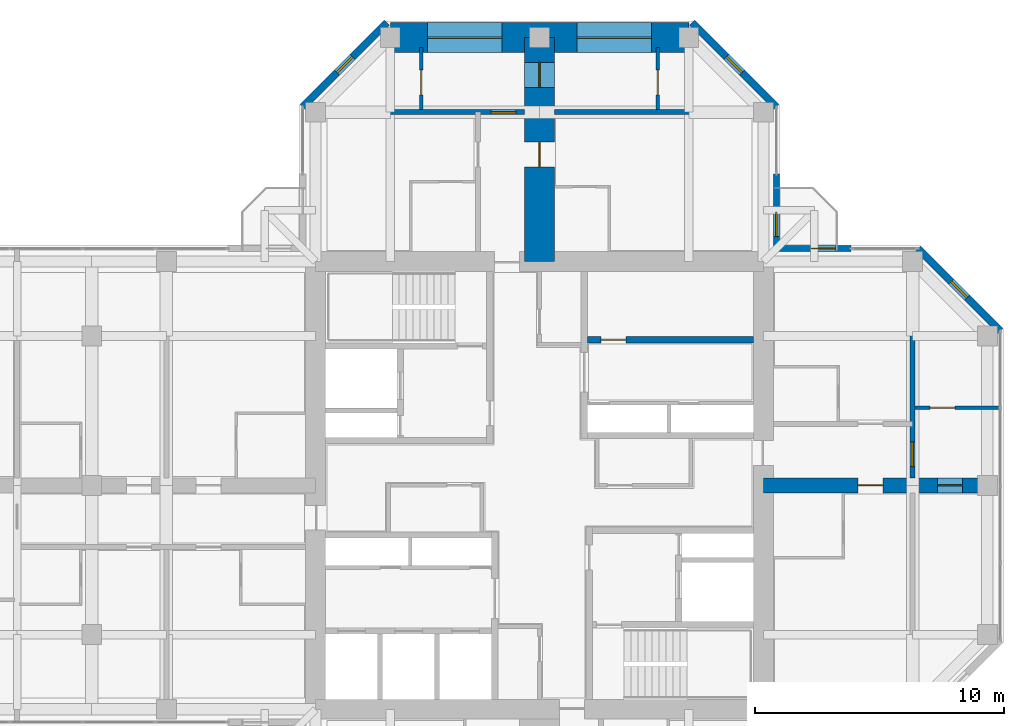
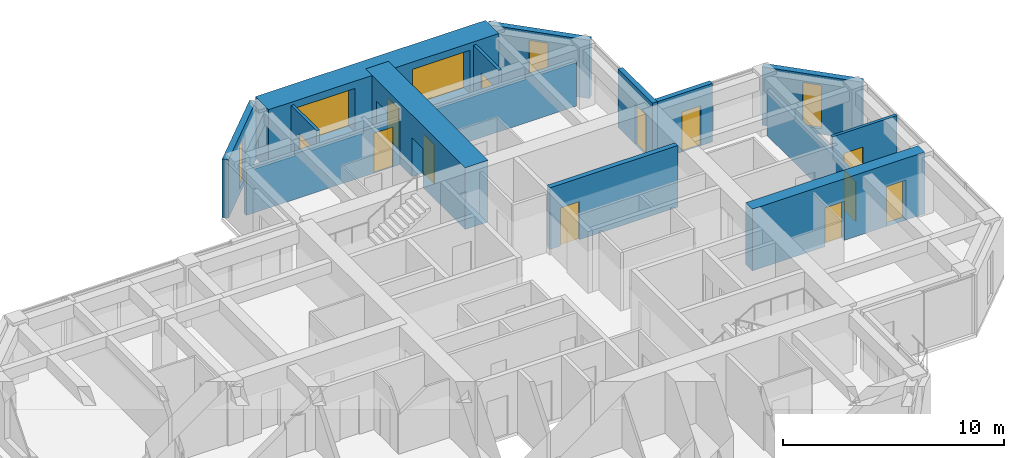
# One storey, part 12 of 14: 15 walls, 12 doors, 5 windows, 17 openings.
"""IFC4 building model written with IfcOpenShell, lengths in metres."""

from ifc_helpers import new_model, si_unit, direction, frame, frame_2d, origin, place, context, subcontext, project, spatial, rectangle, hollow_rectangle, extrude, material, layer, layer_set, constituent, constituent_set, type_object, element, fill, save


model = new_model("IFC4")

# Units and contexts
model_context = context("Model", 3, precision=1e-05, world=origin(), true_north=direction((0.0, 1.0)))
body_context = subcontext(model_context, "Body", "Model", "MODEL_VIEW")
ifc_project = project(units=[si_unit("LENGTHUNIT", "METRE"), si_unit("AREAUNIT", "SQUARE_METRE"), si_unit("VOLUMEUNIT", "CUBIC_METRE"), si_unit("PLANEANGLEUNIT", "RADIAN"), si_unit("MASSUNIT", "GRAM", prefix="KILO")], contexts=[model_context])

# Site, building, storey
site_placement = place(None, origin())
site = spatial("IfcSite", under=ifc_project, at=site_placement, CompositionType="ELEMENT")
building_placement = place(site_placement, origin())
building = spatial("IfcBuilding", under=site, at=building_placement, Name="Torre Cruceta", CompositionType="ELEMENT")
storey_placement = place(building_placement, frame((0.0, 0.0, 228.89990234375)))
storey = spatial("IfcBuildingStorey", under=building, at=storey_placement, Name="L58", CompositionType="ELEMENT", Elevation=228.89990234375)

# Wall, opening, door
ifc_material_1 = material(Name="Concrete G60 (fck 60 MPa)", Category="concrete")
ifc_layer_1 = layer(ifc_material_1, 0.25)
ifc_layer_set_1 = layer_set([ifc_layer_1], Name="Concrete G60 (fck 60 MPa)")
wall_type_1 = type_object("IfcWallType", Name="CORE INNER WALL 250 G60", PredefinedType="SHEAR", material=ifc_layer_set_1)
wall_1_placement = place(storey_placement, frame((1.925048828125, 5.85009765625, 0.0), z_axis=(0.0, 0.0, 1.0), x_axis=(1.0, 0.0, 0.0)))
wall_1 = element("IfcWall", 1, at=wall_1_placement, inside=storey, type_object=wall_type_1, Name="CW4 L58 NE-LV", PredefinedType="SHEAR", context=body_context, shape_type="SweptSolid", body=[
    extrude(rectangle(XDim=6.675048828125, YDim=0.25, at=frame_2d((3.33740234375, 0.0))), origin(), (0.0, 0.0, 1.0), 3.400146484375),
])
opening_1_placement = place(wall_1_placement, frame((0.5458984375, 0.0, 0.0)))
opening_1 = element("IfcOpeningElement", 2, at=opening_1_placement, cuts=wall_1, Name="Opening D3", PredefinedType="OPENING", context=body_context, shape_type="SweptSolid", body=[
    extrude(rectangle(XDim=1.0, YDim=2.10009765625, at=frame_2d((0.5, 1.050048828125))), frame((0.0, 0.135009765625, 0.0), z_axis=(0.0, -1.0, 0.0), x_axis=(1.0, 0.0, 0.0)), (0.0, 0.0, 1.0), 0.27001953125),
])
ifc_material_2 = material(Name="Steel DX51D", Category="steel")
ifc_constituent_1 = constituent(ifc_material_2, Name="Leaf and frame")
ifc_material_3 = material(Name="Polyester powder coating", Category="paint")
ifc_constituent_2 = constituent(ifc_material_3, Name="Finish")
ifc_constituent_set_1 = constituent_set(constituents=[ifc_constituent_1, ifc_constituent_2], Name="Steel fire door")
door_type_1 = type_object("IfcDoorType", Name="FIRE DOOR 1000X2100", OperationType="SINGLE_SWING_LEFT", PredefinedType="DOOR", material=ifc_constituent_set_1)
door_1_placement = place(opening_1_placement, origin())
door_1 = element("IfcDoor", 3, at=door_1_placement, inside=storey, type_object=door_type_1, Name="D3 L58 NE-HR1", OperationType="SINGLE_SWING_LEFT", OverallHeight=2.10009765625, OverallWidth=1.0, PredefinedType="DOOR", context=body_context, shape_type="SweptSolid", body=[
    extrude(rectangle(XDim=1.0, YDim=2.10009765625, at=frame_2d((0.5, 1.050048828125))), frame((0.0, 0.02490234375, 0.0), z_axis=(0.0, -1.0, 0.0), x_axis=(1.0, 0.0, 0.0)), (0.0, 0.0, 1.0), 0.050048828125),
])
fill(opening_1, door_1)

# Wall, opening, window
ifc_material_4 = material(Name="Concrete G30 (fck 30 MPa)", Category="concrete")
ifc_layer_2 = layer(ifc_material_4, 0.300048828125)
ifc_layer_set_2 = layer_set([ifc_layer_2], Name="Concrete G30 (fck 30 MPa)")
wall_type_2 = type_object("IfcWallType", Name="EXPOSED CONCRETE FACADE WALL 300", PredefinedType="SOLIDWALL", material=ifc_layer_set_2)
wall_2_placement = place(storey_placement, frame((18.52001953125, 6.21533203125, 0.0), z_axis=(0.0, 0.0, 1.0), x_axis=(-0.707106781187, 0.707106781187, 0.0)))
wall_2 = element("IfcWall", 4, at=wall_2_placement, inside=storey, type_object=wall_type_2, Name="EW1 facade wall L58 E chamfer 03", PredefinedType="SOLIDWALL", context=body_context, shape_type="SweptSolid", body=[
    extrude(rectangle(XDim=4.673583984375, YDim=0.300048828125, at=frame_2d((2.3369140625, 0.0))), origin(), (0.0, 0.0, 1.0), 3.22021484375),
])
opening_2_placement = place(wall_2_placement, frame((1.88671875, 0.0, 0.300048828125)))
opening_2 = element("IfcOpeningElement", 5, at=opening_2_placement, cuts=wall_2, Name="Opening WN5", PredefinedType="OPENING", context=body_context, shape_type="SweptSolid", body=[
    extrude(rectangle(XDim=0.89990234375, YDim=2.39990234375, at=frame_2d((0.449951171875, 1.199951171875))), frame((0.0, 0.159912109375, 0.0), z_axis=(0.0, -1.0, 0.0), x_axis=(1.0, 0.0, 0.0)), (0.0, 0.0, 1.0), 0.320068359375),
])
ifc_material_5 = material(Name="Aluminium window frame", Category="aluminium")
ifc_constituent_3 = constituent(ifc_material_5, Name="Frame")
ifc_material_6 = material(Name="Laminated insulating glass unit, low-iron clear", Category="glass")
ifc_constituent_4 = constituent(ifc_material_6, Name="Glazing")
ifc_constituent_set_2 = constituent_set(constituents=[ifc_constituent_3, ifc_constituent_4], Name="Aluminium window")
window_type_1 = type_object("IfcWindowType", Name="CHAMFER SLOT WINDOW 900X2400", PartitioningType="SINGLE_PANEL", PredefinedType="WINDOW", material=ifc_constituent_set_2)
window_1_placement = place(opening_2_placement, origin())
window_1 = element("IfcWindow", 6, at=window_1_placement, inside=storey, type_object=window_type_1, Name="WN5 L58 E 1", OverallHeight=2.39990234375, OverallWidth=0.89990234375, PartitioningType="SINGLE_PANEL", PredefinedType="WINDOW", context=body_context, shape_type="SweptSolid", body=[
    extrude(hollow_rectangle(XDim=0.89990234375, YDim=2.39990234375, WallThickness=0.06005859375, at=frame_2d((0.449951171875, 1.199951171875))), frame((0.0, 0.030029296875, 0.0), z_axis=(0.0, -1.0, 0.0), x_axis=(1.0, 0.0, 0.0)), (0.0, 0.0, 1.0), 0.06005859375),
    extrude(rectangle(XDim=0.77880859375, YDim=2.27880859375, at=frame_2d((0.449951171875, 1.199951171875))), frame((0.0, 0.030029296875, 0.0), z_axis=(0.0, -1.0, 0.0), x_axis=(1.0, 0.0, 0.0)), (0.0, 0.0, 1.0), 0.06005859375),
])
fill(opening_2, window_1)

wall_3_placement = place(storey_placement, frame((9.52001953125, 15.21533203125, 0.0), z_axis=(0.0, 0.0, 1.0), x_axis=(-0.707081278264, 0.707132283189, 0.0)))
wall_3 = element("IfcWall", 7, at=wall_3_placement, inside=storey, type_object=wall_type_2, Name="EW1 facade wall L58 N chamfer 06", PredefinedType="SOLIDWALL", context=body_context, shape_type="SweptSolid", body=[
    extrude(rectangle(XDim=4.78662109375, YDim=0.300048828125, at=frame_2d((2.393310546875, 0.0))), origin(), (0.0, 0.0, 1.0), 3.22021484375),
])
opening_3_placement = place(wall_3_placement, frame((1.943359375, 0.0, 0.300048828125)))
opening_3 = element("IfcOpeningElement", 8, at=opening_3_placement, cuts=wall_3, Name="Opening WN5", PredefinedType="OPENING", context=body_context, shape_type="SweptSolid", body=[
    extrude(rectangle(XDim=0.89990234375, YDim=2.39990234375, at=frame_2d((0.449951171875, 1.199951171875))), frame((0.0, 0.159912109375, 0.0), z_axis=(0.0, -1.0, 0.0), x_axis=(1.0, 0.0, 0.0)), (0.0, 0.0, 1.0), 0.320068359375),
])
window_2_placement = place(opening_3_placement, origin())
window_2 = element("IfcWindow", 9, at=window_2_placement, inside=storey, type_object=window_type_1, Name="WN5 L58 N 1", OverallHeight=2.39990234375, OverallWidth=0.89990234375, PartitioningType="SINGLE_PANEL", PredefinedType="WINDOW", context=body_context, shape_type="SweptSolid", body=[
    extrude(hollow_rectangle(XDim=0.89990234375, YDim=2.39990234375, WallThickness=0.06005859375, at=frame_2d((0.449951171875, 1.199951171875))), frame((0.0, 0.030029296875, 0.0), z_axis=(0.0, -1.0, 0.0), x_axis=(1.0, 0.0, 0.0)), (0.0, 0.0, 1.0), 0.06005859375),
    extrude(rectangle(XDim=0.77880859375, YDim=2.27880859375, at=frame_2d((0.449951171875, 1.199951171875))), frame((0.0, 0.030029296875, 0.0), z_axis=(0.0, -1.0, 0.0), x_axis=(1.0, 0.0, 0.0)), (0.0, 0.0, 1.0), 0.06005859375),
])
fill(opening_3, window_2)

wall_4_placement = place(storey_placement, frame((-6.135498046875, 18.60009765625, 0.0), z_axis=(0.0, 0.0, 1.0), x_axis=(-0.707081278264, -0.707132283189, 0.0)))
wall_4 = element("IfcWall", 10, at=wall_4_placement, inside=storey, type_object=wall_type_2, Name="EW1 facade wall L58 N chamfer 08", PredefinedType="SOLIDWALL", context=body_context, shape_type="SweptSolid", body=[
    extrude(rectangle(XDim=4.78662109375, YDim=0.300048828125, at=frame_2d((2.393310546875, 0.0))), origin(), (0.0, 0.0, 1.0), 3.22021484375),
])
opening_4_placement = place(wall_4_placement, frame((1.943359375, 0.0, 0.300048828125)))
opening_4 = element("IfcOpeningElement", 11, at=opening_4_placement, cuts=wall_4, Name="Opening WN5", PredefinedType="OPENING", context=body_context, shape_type="SweptSolid", body=[
    extrude(rectangle(XDim=0.89990234375, YDim=2.39990234375, at=frame_2d((0.449951171875, 1.199951171875))), frame((0.0, 0.159912109375, 0.0), z_axis=(0.0, -1.0, 0.0), x_axis=(1.0, 0.0, 0.0)), (0.0, 0.0, 1.0), 0.320068359375),
])
window_3_placement = place(opening_4_placement, origin())
window_3 = element("IfcWindow", 12, at=window_3_placement, inside=storey, type_object=window_type_1, Name="WN5 L58 N 1", OverallHeight=2.39990234375, OverallWidth=0.89990234375, PartitioningType="SINGLE_PANEL", PredefinedType="WINDOW", context=body_context, shape_type="SweptSolid", body=[
    extrude(hollow_rectangle(XDim=0.89990234375, YDim=2.39990234375, WallThickness=0.06005859375, at=frame_2d((0.449951171875, 1.199951171875))), frame((0.0, 0.030029296875, 0.0), z_axis=(0.0, -1.0, 0.0), x_axis=(1.0, 0.0, 0.0)), (0.0, 0.0, 1.0), 0.06005859375),
    extrude(rectangle(XDim=0.77880859375, YDim=2.27880859375, at=frame_2d((0.449951171875, 1.199951171875))), frame((0.0, 0.030029296875, 0.0), z_axis=(0.0, -1.0, 0.0), x_axis=(1.0, 0.0, 0.0)), (0.0, 0.0, 1.0), 0.06005859375),
])
fill(opening_4, window_3)

# Wall, openings, windows
ifc_material_7 = material(Name="Concrete G60 (fck 60 MPa)", Category="concrete")
ifc_layer_3 = layer(ifc_material_7, 1.199951171875)
ifc_layer_set_3 = layer_set([ifc_layer_3], Name="Concrete G60 (fck 60 MPa)")
wall_type_3 = type_object("IfcWallType", Name="NOSE WALL 1200 G60", PredefinedType="SHEAR", material=ifc_layer_set_3)
wall_5_placement = place(storey_placement, frame((6.0, 18.0, 0.0), z_axis=(0.0, 0.0, 1.0), x_axis=(-1.0, 0.0, 0.0)))
wall_5 = element("IfcWall", 13, at=wall_5_placement, inside=storey, type_object=wall_type_3, Name="NW1 nose wall L58 N", PredefinedType="SHEAR", context=body_context, shape_type="SweptSolid", body=[
    extrude(rectangle(XDim=12.0, YDim=1.199951171875, at=frame_2d((6.0, 0.0))), origin(), (0.0, 0.0, 1.0), 3.400146484375),
])
opening_5_placement = place(wall_5_placement, frame((1.5, 0.0, 0.60009765625)))
opening_5 = element("IfcOpeningElement", 14, at=opening_5_placement, cuts=wall_5, Name="Opening WN6", PredefinedType="OPENING", context=body_context, shape_type="SweptSolid", body=[
    extrude(rectangle(XDim=3.0, YDim=2.39990234375, at=frame_2d((1.5, 1.199951171875))), frame((0.0, 0.60986328125, 0.0), z_axis=(0.0, -1.0, 0.0), x_axis=(1.0, 0.0, 0.0)), (0.0, 0.0, 1.0), 1.219970703125),
])
opening_6_placement = place(wall_5_placement, frame((7.5, 0.0, 0.60009765625)))
opening_6 = element("IfcOpeningElement", 15, at=opening_6_placement, cuts=wall_5, Name="Opening WN6", PredefinedType="OPENING", context=body_context, shape_type="SweptSolid", body=[
    extrude(rectangle(XDim=3.0, YDim=2.39990234375, at=frame_2d((1.5, 1.199951171875))), frame((0.0, 0.60986328125, 0.0), z_axis=(0.0, -1.0, 0.0), x_axis=(1.0, 0.0, 0.0)), (0.0, 0.0, 1.0), 1.219970703125),
])
ifc_material_8 = material(Name="Aluminium window frame", Category="aluminium")
ifc_constituent_5 = constituent(ifc_material_8, Name="Frame")
ifc_material_9 = material(Name="Laminated insulating glass unit, low-iron clear", Category="glass")
ifc_constituent_6 = constituent(ifc_material_9, Name="Glazing")
ifc_constituent_set_3 = constituent_set(constituents=[ifc_constituent_5, ifc_constituent_6], Name="Aluminium window")
window_type_2 = type_object("IfcWindowType", Name="NOSE WALL WINDOW 3000X2400", PartitioningType="SINGLE_PANEL", PredefinedType="WINDOW", material=ifc_constituent_set_3)
window_4_placement = place(opening_5_placement, origin())
window_4 = element("IfcWindow", 16, at=window_4_placement, inside=storey, type_object=window_type_2, Name="WN6 L58 N 1", OverallHeight=2.39990234375, OverallWidth=3.0, PartitioningType="SINGLE_PANEL", PredefinedType="WINDOW", context=body_context, shape_type="SweptSolid", body=[
    extrude(hollow_rectangle(XDim=3.0, YDim=2.39990234375, WallThickness=0.06005859375, at=frame_2d((1.5, 1.199951171875))), frame((0.0, 0.030029296875, 0.0), z_axis=(0.0, -1.0, 0.0), x_axis=(1.0, 0.0, 0.0)), (0.0, 0.0, 1.0), 0.06005859375),
    extrude(rectangle(XDim=2.87890625, YDim=2.27880859375, at=frame_2d((1.5, 1.199951171875))), frame((0.0, 0.030029296875, 0.0), z_axis=(0.0, -1.0, 0.0), x_axis=(1.0, 0.0, 0.0)), (0.0, 0.0, 1.0), 0.06005859375),
])
fill(opening_5, window_4)
window_5_placement = place(opening_6_placement, origin())
window_5 = element("IfcWindow", 17, at=window_5_placement, inside=storey, type_object=window_type_2, Name="WN6 L58 N 2", OverallHeight=2.39990234375, OverallWidth=3.0, PartitioningType="SINGLE_PANEL", PredefinedType="WINDOW", context=body_context, shape_type="SweptSolid", body=[
    extrude(hollow_rectangle(XDim=3.0, YDim=2.39990234375, WallThickness=0.06005859375, at=frame_2d((1.5, 1.199951171875))), frame((0.0, 0.030029296875, 0.0), z_axis=(0.0, -1.0, 0.0), x_axis=(1.0, 0.0, 0.0)), (0.0, 0.0, 1.0), 0.06005859375),
    extrude(rectangle(XDim=2.87890625, YDim=2.27880859375, at=frame_2d((1.5, 1.199951171875))), frame((0.0, 0.030029296875, 0.0), z_axis=(0.0, -1.0, 0.0), x_axis=(1.0, 0.0, 0.0)), (0.0, 0.0, 1.0), 0.06005859375),
])
fill(opening_6, window_5)

# Wall, opening, door
ifc_material_10 = material(Name="Plasterboard on steel studs", Category="steel")
ifc_layer_4 = layer(ifc_material_10, 0.14990234375)
ifc_layer_set_4 = layer_set([ifc_layer_4], Name="Plasterboard on steel studs")
wall_type_4 = type_object("IfcWallType", Name="PARTITION 150", PredefinedType="PARTITIONING", material=ifc_layer_set_4)
wall_6_placement = place(storey_placement, frame((-4.75, 15.10009765625, 0.0), z_axis=(0.0, 0.0, 1.0), x_axis=(0.0, 1.0, 0.0)))
wall_6 = element("IfcWall", 18, at=wall_6_placement, inside=storey, type_object=wall_type_4, Name="PT1 L58-N-ENDX", PredefinedType="PARTITIONING", context=body_context, shape_type="SweptSolid", body=[
    extrude(rectangle(XDim=2.5, YDim=0.14990234375, at=frame_2d((1.25, 0.0))), origin(), (0.0, 0.0, 1.0), 3.22021484375),
])
opening_7_placement = place(wall_6_placement, frame((0.60009765625, 0.0, 0.0)))
opening_7 = element("IfcOpeningElement", 19, at=opening_7_placement, cuts=wall_6, Name="Opening D3", PredefinedType="OPENING", context=body_context, shape_type="SweptSolid", body=[
    extrude(rectangle(XDim=1.0, YDim=2.10009765625, at=frame_2d((0.5, 1.050048828125))), frame((0.0, 0.0849609375, 0.0), z_axis=(0.0, -1.0, 0.0), x_axis=(1.0, 0.0, 0.0)), (0.0, 0.0, 1.0), 0.169921875),
])
door_2_placement = place(opening_7_placement, origin())
door_2 = element("IfcDoor", 20, at=door_2_placement, inside=storey, type_object=door_type_1, Name="D3 L58-N-ENDX-D1", OperationType="SINGLE_SWING_LEFT", OverallHeight=2.10009765625, OverallWidth=1.0, PredefinedType="DOOR", context=body_context, shape_type="SweptSolid", body=[
    extrude(rectangle(XDim=1.0, YDim=2.10009765625, at=frame_2d((0.5, 1.050048828125))), frame((0.0, 0.02490234375, 0.0), z_axis=(0.0, -1.0, 0.0), x_axis=(1.0, 0.0, 0.0)), (0.0, 0.0, 1.0), 0.050048828125),
])
fill(opening_7, door_2)

wall_7_placement = place(storey_placement, frame((4.75, 15.10009765625, 0.0), z_axis=(0.0, 0.0, 1.0), x_axis=(0.0, 1.0, 0.0)))
wall_7 = element("IfcWall", 21, at=wall_7_placement, inside=storey, type_object=wall_type_4, Name="PT1 L58-N-END2X", PredefinedType="PARTITIONING", context=body_context, shape_type="SweptSolid", body=[
    extrude(rectangle(XDim=2.5, YDim=0.14990234375, at=frame_2d((1.25, 0.0))), origin(), (0.0, 0.0, 1.0), 3.22021484375),
])
opening_8_placement = place(wall_7_placement, frame((0.60009765625, 0.0, 0.0)))
opening_8 = element("IfcOpeningElement", 22, at=opening_8_placement, cuts=wall_7, Name="Opening D3", PredefinedType="OPENING", context=body_context, shape_type="SweptSolid", body=[
    extrude(rectangle(XDim=1.0, YDim=2.10009765625, at=frame_2d((0.5, 1.050048828125))), frame((0.0, 0.0849609375, 0.0), z_axis=(0.0, -1.0, 0.0), x_axis=(1.0, 0.0, 0.0)), (0.0, 0.0, 1.0), 0.169921875),
])
door_3_placement = place(opening_8_placement, frame((1.0, 0.0, 0.0), z_axis=(0.0, 0.0, 1.0), x_axis=(-1.0, 0.0, 0.0)))
door_3 = element("IfcDoor", 23, at=door_3_placement, inside=storey, type_object=door_type_1, Name="D3 L58-N-END2X-D1", OperationType="SINGLE_SWING_RIGHT", OverallHeight=2.10009765625, OverallWidth=1.0, PredefinedType="DOOR", context=body_context, shape_type="SweptSolid", body=[
    extrude(rectangle(XDim=1.0, YDim=2.10009765625, at=frame_2d((0.5, 1.050048828125))), frame((0.0, 0.025146484375, 0.0), z_axis=(0.0, -1.0, 0.0), x_axis=(1.0, 0.0, 0.0)), (0.0, 0.0, 1.0), 0.050048828125),
])
fill(opening_8, door_3)

wall_8_placement = place(storey_placement, frame((15.10009765625, 3.117919921875, 0.0), z_axis=(0.0, 0.0, 1.0), x_axis=(1.0, 0.0, 0.0)))
wall_8 = element("IfcWall", 24, at=wall_8_placement, inside=storey, type_object=wall_type_4, Name="PT1 L58-E-ENDX", PredefinedType="PARTITIONING", context=body_context, shape_type="SweptSolid", body=[
    extrude(rectangle(XDim=3.3798828125, YDim=0.14990234375, at=frame_2d((1.68994140625, 0.0))), origin(), (0.0, 0.0, 1.0), 3.22021484375),
])
opening_9_placement = place(wall_8_placement, frame((0.60009765625, 0.0, 0.0)))
opening_9 = element("IfcOpeningElement", 25, at=opening_9_placement, cuts=wall_8, Name="Opening D3", PredefinedType="OPENING", context=body_context, shape_type="SweptSolid", body=[
    extrude(rectangle(XDim=1.0, YDim=2.10009765625, at=frame_2d((0.5, 1.050048828125))), frame((0.0, 0.0849609375, 0.0), z_axis=(0.0, -1.0, 0.0), x_axis=(1.0, 0.0, 0.0)), (0.0, 0.0, 1.0), 0.169921875),
])
door_4_placement = place(opening_9_placement, frame((1.0, 0.0, 0.0), z_axis=(0.0, 0.0, 1.0), x_axis=(-1.0, 0.0, 0.0)))
door_4 = element("IfcDoor", 26, at=door_4_placement, inside=storey, type_object=door_type_1, Name="D3 L58-E-ENDX-D1", OperationType="SINGLE_SWING_RIGHT", OverallHeight=2.10009765625, OverallWidth=1.0, PredefinedType="DOOR", context=body_context, shape_type="SweptSolid", body=[
    extrude(rectangle(XDim=1.0, YDim=2.10009765625, at=frame_2d((0.5, 1.050048828125))), frame((0.0, 0.025146484375, 0.0), z_axis=(0.0, -1.0, 0.0), x_axis=(1.0, 0.0, 0.0)), (0.0, 0.0, 1.0), 0.050048828125),
])
fill(opening_9, door_4)

# Wall, openings, doors
ifc_material_11 = material(Name="Concrete G60 (fck 60 MPa)", Category="concrete")
ifc_layer_5 = layer(ifc_material_11, 1.199951171875)
ifc_layer_set_5 = layer_set([ifc_layer_5], Name="Concrete G60 (fck 60 MPa)")
wall_type_5 = type_object("IfcWallType", Name="SPINE WALL 1200 G60", PredefinedType="SHEAR", material=ifc_layer_set_5)
wall_9_placement = place(storey_placement, frame((0.0, 9.0, 0.0), z_axis=(0.0, 0.0, 1.0), x_axis=(0.0, 1.0, 0.0)))
wall_9 = element("IfcWall", 27, at=wall_9_placement, inside=storey, type_object=wall_type_5, Name="SW3 spine wall L58 N", PredefinedType="SHEAR", context=body_context, shape_type="SweptSolid", body=[
    extrude(rectangle(XDim=9.0, YDim=1.199951171875, at=frame_2d((4.5, 0.0))), origin(), (0.0, 0.0, 1.0), 3.400146484375),
])
opening_10_placement = place(wall_9_placement, frame((3.800048828125, 0.0, 0.0)))
opening_10 = element("IfcOpeningElement", 28, at=opening_10_placement, cuts=wall_9, Name="Opening D6", PredefinedType="OPENING", context=body_context, shape_type="SweptSolid", body=[
    extrude(rectangle(XDim=1.0, YDim=2.14990234375, at=frame_2d((0.5, 1.074951171875))), frame((0.0, 0.60986328125, 0.0), z_axis=(0.0, -1.0, 0.0), x_axis=(1.0, 0.0, 0.0)), (0.0, 0.0, 1.0), 1.219970703125),
])
opening_11_placement = place(wall_9_placement, frame((7.0, 0.0, 0.0)))
opening_11 = element("IfcOpeningElement", 29, at=opening_11_placement, cuts=wall_9, Name="Opening D14", PredefinedType="OPENING", context=body_context, shape_type="SweptSolid", body=[
    extrude(rectangle(XDim=1.0, YDim=2.199951171875, at=frame_2d((0.5, 1.10009765625))), frame((0.0, 0.60986328125, 0.0), z_axis=(0.0, -1.0, 0.0), x_axis=(1.0, 0.0, 0.0)), (0.0, 0.0, 1.0), 1.219970703125),
])
ifc_material_12 = material(Name="Steel DX51D", Category="steel")
ifc_constituent_7 = constituent(ifc_material_12, Name="Leaf and frame")
ifc_material_13 = material(Name="Polyester powder coating", Category="paint")
ifc_constituent_8 = constituent(ifc_material_13, Name="Finish")
ifc_material_14 = material(Name="Fire-resisting glass", Category="glass")
ifc_constituent_9 = constituent(ifc_material_14, Name="Vision panel")
ifc_constituent_set_4 = constituent_set(constituents=[ifc_constituent_7, ifc_constituent_8, ifc_constituent_9], Name="Steel fire door with vision panel")
door_type_2 = type_object("IfcDoorType", Name="FIRE DOOR VISION PANEL 1000X2200", OperationType="SINGLE_SWING_RIGHT", PredefinedType="DOOR", material=ifc_constituent_set_4)
door_5_placement = place(opening_11_placement, origin())
door_5 = element("IfcDoor", 30, at=door_5_placement, inside=storey, type_object=door_type_2, Name="D14 L58-N-SP2", OperationType="SINGLE_SWING_RIGHT", OverallHeight=2.199951171875, OverallWidth=1.0, PredefinedType="DOOR", context=body_context, shape_type="SweptSolid", body=[
    extrude(rectangle(XDim=1.0, YDim=2.199951171875, at=frame_2d((0.5, 1.10009765625))), frame((0.0, 0.02490234375, 0.0), z_axis=(0.0, -1.0, 0.0), x_axis=(1.0, 0.0, 0.0)), (0.0, 0.0, 1.0), 0.050048828125),
])
fill(opening_11, door_5)
ifc_material_15 = material(Name="Timber fire door", Category="wood")
door_type_3 = type_object("IfcDoorType", Name="UNIT ENTRANCE DOOR 1000X2150", OperationType="SINGLE_SWING_LEFT", PredefinedType="DOOR", material=ifc_material_15)
door_6_placement = place(opening_10_placement, frame((1.0, 0.0, 0.0), z_axis=(0.0, 0.0, 1.0), x_axis=(-1.0, 0.0, 0.0)))
door_6 = element("IfcDoor", 31, at=door_6_placement, inside=storey, type_object=door_type_3, Name="D6 L58-N-SP1", OperationType="SINGLE_SWING_RIGHT", OverallHeight=2.14990234375, OverallWidth=1.0, PredefinedType="DOOR", context=body_context, shape_type="SweptSolid", body=[
    extrude(rectangle(XDim=1.0, YDim=2.14990234375, at=frame_2d((0.5, 1.074951171875))), frame((0.0, 0.025146484375, 0.0), z_axis=(0.0, -1.0, 0.0), x_axis=(1.0, 0.0, 0.0)), (0.0, 0.0, 1.0), 0.050048828125),
])
fill(opening_10, door_6)

ifc_material_16 = material(Name="Concrete G60 (fck 60 MPa)", Category="concrete")
ifc_layer_6 = layer(ifc_material_16, 0.60009765625)
ifc_layer_set_6 = layer_set([ifc_layer_6], Name="Concrete G60 (fck 60 MPa)")
wall_type_6 = type_object("IfcWallType", Name="SPINE WALL 600 G60", PredefinedType="SHEAR", material=ifc_layer_set_6)
wall_10_placement = place(storey_placement, frame((9.0, 0.0, 0.0), z_axis=(0.0, 0.0, 1.0), x_axis=(1.0, 0.0, 0.0)))
wall_10 = element("IfcWall", 32, at=wall_10_placement, inside=storey, type_object=wall_type_6, Name="SW5 spine wall L58 E", PredefinedType="SHEAR", context=body_context, shape_type="SweptSolid", body=[
    extrude(rectangle(XDim=9.0, YDim=0.60009765625, at=frame_2d((4.5, 0.0))), origin(), (0.0, 0.0, 1.0), 3.400146484375),
])
opening_12_placement = place(wall_10_placement, frame((3.800048828125, 0.0, 0.0)))
opening_12 = element("IfcOpeningElement", 33, at=opening_12_placement, cuts=wall_10, Name="Opening D6", PredefinedType="OPENING", context=body_context, shape_type="SweptSolid", body=[
    extrude(rectangle(XDim=1.0, YDim=2.14990234375, at=frame_2d((0.5, 1.074951171875))), frame((0.0, 0.31005859375, 0.0), z_axis=(0.0, -1.0, 0.0), x_axis=(1.0, 0.0, 0.0)), (0.0, 0.0, 1.0), 0.6201171875),
])
opening_13_placement = place(wall_10_placement, frame((7.0, 0.0, 0.0)))
opening_13 = element("IfcOpeningElement", 34, at=opening_13_placement, cuts=wall_10, Name="Opening D14", PredefinedType="OPENING", context=body_context, shape_type="SweptSolid", body=[
    extrude(rectangle(XDim=1.0, YDim=2.199951171875, at=frame_2d((0.5, 1.10009765625))), frame((0.0, 0.31005859375, 0.0), z_axis=(0.0, -1.0, 0.0), x_axis=(1.0, 0.0, 0.0)), (0.0, 0.0, 1.0), 0.6201171875),
])
door_7_placement = place(opening_13_placement, origin())
door_7 = element("IfcDoor", 35, at=door_7_placement, inside=storey, type_object=door_type_2, Name="D14 L58-E-SP2", OperationType="SINGLE_SWING_LEFT", OverallHeight=2.199951171875, OverallWidth=1.0, PredefinedType="DOOR", context=body_context, shape_type="SweptSolid", body=[
    extrude(rectangle(XDim=1.0, YDim=2.199951171875, at=frame_2d((0.5, 1.10009765625))), frame((0.0, 0.02490234375, 0.0), z_axis=(0.0, -1.0, 0.0), x_axis=(1.0, 0.0, 0.0)), (0.0, 0.0, 1.0), 0.050048828125),
])
fill(opening_13, door_7)
door_8_placement = place(opening_12_placement, frame((1.0, 0.0, 0.0), z_axis=(0.0, 0.0, 1.0), x_axis=(-1.0, 0.0, 0.0)))
door_8 = element("IfcDoor", 36, at=door_8_placement, inside=storey, type_object=door_type_3, Name="D6 L58-E-SP1", OperationType="SINGLE_SWING_RIGHT", OverallHeight=2.14990234375, OverallWidth=1.0, PredefinedType="DOOR", context=body_context, shape_type="SweptSolid", body=[
    extrude(rectangle(XDim=1.0, YDim=2.14990234375, at=frame_2d((0.5, 1.074951171875))), frame((0.0, 0.025146484375, 0.0), z_axis=(0.0, -1.0, 0.0), x_axis=(1.0, 0.0, 0.0)), (0.0, 0.0, 1.0), 0.050048828125),
])
fill(opening_12, door_8)

# Wall
ifc_material_17 = material(Name="Concrete G25 (fck 25 MPa)", Category="concrete")
ifc_layer_7 = layer(ifc_material_17, 0.199951171875)
ifc_layer_set_7 = layer_set([ifc_layer_7], Name="Concrete G25 (fck 25 MPa)")
wall_type_7 = type_object("IfcWallType", Name="UNIT SEPARATING WALL 200", PredefinedType="SOLIDWALL", material=ifc_layer_set_7)
wall_11_placement = place(storey_placement, frame((8.60009765625, 15.0, 0.0), z_axis=(0.0, 0.0, 1.0), x_axis=(-1.0, 0.0, 0.0)))
element("IfcWall", 37, at=wall_11_placement, inside=storey, type_object=wall_type_7, Name="PT2 L58-N-ENDa", PredefinedType="SOLIDWALL", context=body_context, shape_type="SweptSolid", body=[
    extrude(rectangle(XDim=8.0, YDim=0.199951171875, at=frame_2d((4.0, 0.0))), origin(), (0.0, 0.0, 1.0), 2.52001953125),
])

# Wall, opening, door
wall_12_placement = place(storey_placement, frame((-0.60009765625, 15.0, 0.0), z_axis=(0.0, 0.0, 1.0), x_axis=(-1.0, 0.0, 0.0)))
wall_12 = element("IfcWall", 38, at=wall_12_placement, inside=storey, type_object=wall_type_7, Name="PT2 L58-N-ENDb", PredefinedType="SOLIDWALL", context=body_context, shape_type="SweptSolid", body=[
    extrude(rectangle(XDim=8.0, YDim=0.199951171875, at=frame_2d((4.0, 0.0))), origin(), (0.0, 0.0, 1.0), 2.52001953125),
])
opening_14_placement = place(wall_12_placement, frame((0.35009765625, 0.0, 0.0)))
opening_14 = element("IfcOpeningElement", 39, at=opening_14_placement, cuts=wall_12, Name="Opening D14", PredefinedType="OPENING", context=body_context, shape_type="SweptSolid", body=[
    extrude(rectangle(XDim=1.0, YDim=2.199951171875, at=frame_2d((0.5, 1.10009765625))), frame((0.0, 0.10986328125, 0.0), z_axis=(0.0, -1.0, 0.0), x_axis=(1.0, 0.0, 0.0)), (0.0, 0.0, 1.0), 0.219970703125),
])
door_9_placement = place(opening_14_placement, frame((1.0, 0.0, 0.0), z_axis=(0.0, 0.0, 1.0), x_axis=(-1.0, 0.0, 0.0)))
door_9 = element("IfcDoor", 40, at=door_9_placement, inside=storey, type_object=door_type_2, Name="D14 L58-N-ENDb-D1", OperationType="SINGLE_SWING_RIGHT", OverallHeight=2.199951171875, OverallWidth=1.0, PredefinedType="DOOR", context=body_context, shape_type="SweptSolid", body=[
    extrude(rectangle(XDim=1.0, YDim=2.199951171875, at=frame_2d((0.5, 1.10009765625))), frame((0.0, 0.025146484375, 0.0), z_axis=(0.0, -1.0, 0.0), x_axis=(1.0, 0.0, 0.0)), (0.0, 0.0, 1.0), 0.050048828125),
])
fill(opening_14, door_9)

wall_13_placement = place(storey_placement, frame((15.0, 0.300048828125, 0.0), z_axis=(0.0, 0.0, 1.0), x_axis=(0.0, 1.0, 0.0)))
wall_13 = element("IfcWall", 41, at=wall_13_placement, inside=storey, type_object=wall_type_7, Name="PT2 L58-E-ENDb", PredefinedType="SOLIDWALL", context=body_context, shape_type="SweptSolid", body=[
    extrude(rectangle(XDim=8.300048828125, YDim=0.199951171875, at=frame_2d((4.14990234375, 0.0))), origin(), (0.0, 0.0, 1.0), 2.52001953125),
])
opening_15_placement = place(wall_13_placement, frame((0.449951171875, 0.0, 0.0)))
opening_15 = element("IfcOpeningElement", 42, at=opening_15_placement, cuts=wall_13, Name="Opening D14", PredefinedType="OPENING", context=body_context, shape_type="SweptSolid", body=[
    extrude(rectangle(XDim=1.0, YDim=2.199951171875, at=frame_2d((0.5, 1.10009765625))), frame((0.0, 0.10986328125, 0.0), z_axis=(0.0, -1.0, 0.0), x_axis=(1.0, 0.0, 0.0)), (0.0, 0.0, 1.0), 0.219970703125),
])
door_10_placement = place(opening_15_placement, frame((1.0, 0.0, 0.0), z_axis=(0.0, 0.0, 1.0), x_axis=(-1.0, 0.0, 0.0)))
door_10 = element("IfcDoor", 43, at=door_10_placement, inside=storey, type_object=door_type_2, Name="D14 L58-E-ENDb-D1", OperationType="SINGLE_SWING_LEFT", OverallHeight=2.199951171875, OverallWidth=1.0, PredefinedType="DOOR", context=body_context, shape_type="SweptSolid", body=[
    extrude(rectangle(XDim=1.0, YDim=2.199951171875, at=frame_2d((0.5, 1.10009765625))), frame((0.0, 0.025146484375, 0.0), z_axis=(0.0, -1.0, 0.0), x_axis=(1.0, 0.0, 0.0)), (0.0, 0.0, 1.0), 0.050048828125),
])
fill(opening_15, door_10)

ifc_material_18 = material(Name="Concrete G30 (fck 30 MPa)", Category="concrete")
ifc_layer_8 = layer(ifc_material_18, 0.25)
ifc_layer_set_8 = layer_set([ifc_layer_8], Name="Concrete G30 (fck 30 MPa)")
wall_type_8 = type_object("IfcWallType", Name="WINTER GARDEN WALL 250", PredefinedType="SOLIDWALL", material=ifc_layer_set_8)
wall_14_placement = place(storey_placement, frame((12.52001953125, 9.52001953125, 0.0), z_axis=(0.0, 0.0, 1.0), x_axis=(-1.0, 0.0, 0.0)))
wall_14 = element("IfcWall", 44, at=wall_14_placement, inside=storey, type_object=wall_type_8, Name="EW2 winter garden wall L58 04", PredefinedType="SOLIDWALL", context=body_context, shape_type="SweptSolid", body=[
    extrude(rectangle(XDim=2.875, YDim=0.25, at=frame_2d((1.4375, 0.0))), origin(), (0.0, 0.0, 1.0), 3.22021484375),
])
opening_16_placement = place(wall_14_placement, frame((0.60009765625, 0.0, 0.0)))
opening_16 = element("IfcOpeningElement", 45, at=opening_16_placement, cuts=wall_14, Name="Opening D10", PredefinedType="OPENING", context=body_context, shape_type="SweptSolid", body=[
    extrude(rectangle(XDim=1.0, YDim=2.199951171875, at=frame_2d((0.5, 1.10009765625))), frame((0.0, 0.135009765625, 0.0), z_axis=(0.0, -1.0, 0.0), x_axis=(1.0, 0.0, 0.0)), (0.0, 0.0, 1.0), 0.27001953125),
])
ifc_material_19 = material(Name="Aluminium door frame", Category="aluminium")
ifc_constituent_10 = constituent(ifc_material_19, Name="Frame")
ifc_material_20 = material(Name="Laminated safety glass", Category="glass")
ifc_constituent_11 = constituent(ifc_material_20, Name="Glazing")
ifc_constituent_set_5 = constituent_set(constituents=[ifc_constituent_10, ifc_constituent_11], Name="Aluminium glazed door")
door_type_4 = type_object("IfcDoorType", Name="BALCONY DOOR 1000X2200", OperationType="SINGLE_SWING_RIGHT", PredefinedType="DOOR", material=ifc_constituent_set_5)
door_11_placement = place(opening_16_placement, origin())
door_11 = element("IfcDoor", 46, at=door_11_placement, inside=storey, type_object=door_type_4, Name="D10 balcony door L58 04", OperationType="SINGLE_SWING_RIGHT", OverallHeight=2.199951171875, OverallWidth=1.0, PredefinedType="DOOR", context=body_context, shape_type="SweptSolid", body=[
    extrude(hollow_rectangle(XDim=1.0, YDim=2.199951171875, WallThickness=0.06005859375, at=frame_2d((0.5, 1.10009765625))), frame((0.0, 0.02490234375, 0.0), z_axis=(0.0, -1.0, 0.0), x_axis=(1.0, 0.0, 0.0)), (0.0, 0.0, 1.0), 0.050048828125),
    extrude(rectangle(XDim=0.87890625, YDim=2.078857421875, at=frame_2d((0.5, 1.10009765625))), frame((0.0, 0.02490234375, 0.0), z_axis=(0.0, -1.0, 0.0), x_axis=(1.0, 0.0, 0.0)), (0.0, 0.0, 1.0), 0.050048828125),
])
fill(opening_16, door_11)

wall_15_placement = place(storey_placement, frame((9.52001953125, 9.39501953125, 0.0), z_axis=(0.0, 0.0, 1.0), x_axis=(0.0, 1.0, 0.0)))
wall_15 = element("IfcWall", 47, at=wall_15_placement, inside=storey, type_object=wall_type_8, Name="EW2 winter garden wall L58 05", PredefinedType="SOLIDWALL", context=body_context, shape_type="SweptSolid", body=[
    extrude(rectangle(XDim=3.125, YDim=0.25, at=frame_2d((1.5625, 0.0))), origin(), (0.0, 0.0, 1.0), 3.22021484375),
])
opening_17_placement = place(wall_15_placement, frame((0.60009765625, 0.0, 0.0)))
opening_17 = element("IfcOpeningElement", 48, at=opening_17_placement, cuts=wall_15, Name="Opening D10", PredefinedType="OPENING", context=body_context, shape_type="SweptSolid", body=[
    extrude(rectangle(XDim=1.0, YDim=2.199951171875, at=frame_2d((0.5, 1.10009765625))), frame((0.0, 0.135009765625, 0.0), z_axis=(0.0, -1.0, 0.0), x_axis=(1.0, 0.0, 0.0)), (0.0, 0.0, 1.0), 0.27001953125),
])
door_12_placement = place(opening_17_placement, origin())
door_12 = element("IfcDoor", 49, at=door_12_placement, inside=storey, type_object=door_type_4, Name="D10 balcony door L58 05", OperationType="SINGLE_SWING_LEFT", OverallHeight=2.199951171875, OverallWidth=1.0, PredefinedType="DOOR", context=body_context, shape_type="SweptSolid", body=[
    extrude(hollow_rectangle(XDim=1.0, YDim=2.199951171875, WallThickness=0.06005859375, at=frame_2d((0.5, 1.10009765625))), frame((0.0, 0.02490234375, 0.0), z_axis=(0.0, -1.0, 0.0), x_axis=(1.0, 0.0, 0.0)), (0.0, 0.0, 1.0), 0.050048828125),
    extrude(rectangle(XDim=0.87890625, YDim=2.078857421875, at=frame_2d((0.5, 1.10009765625))), frame((0.0, 0.02490234375, 0.0), z_axis=(0.0, -1.0, 0.0), x_axis=(1.0, 0.0, 0.0)), (0.0, 0.0, 1.0), 0.050048828125),
])
fill(opening_17, door_12)

save(model, "model.ifc")
